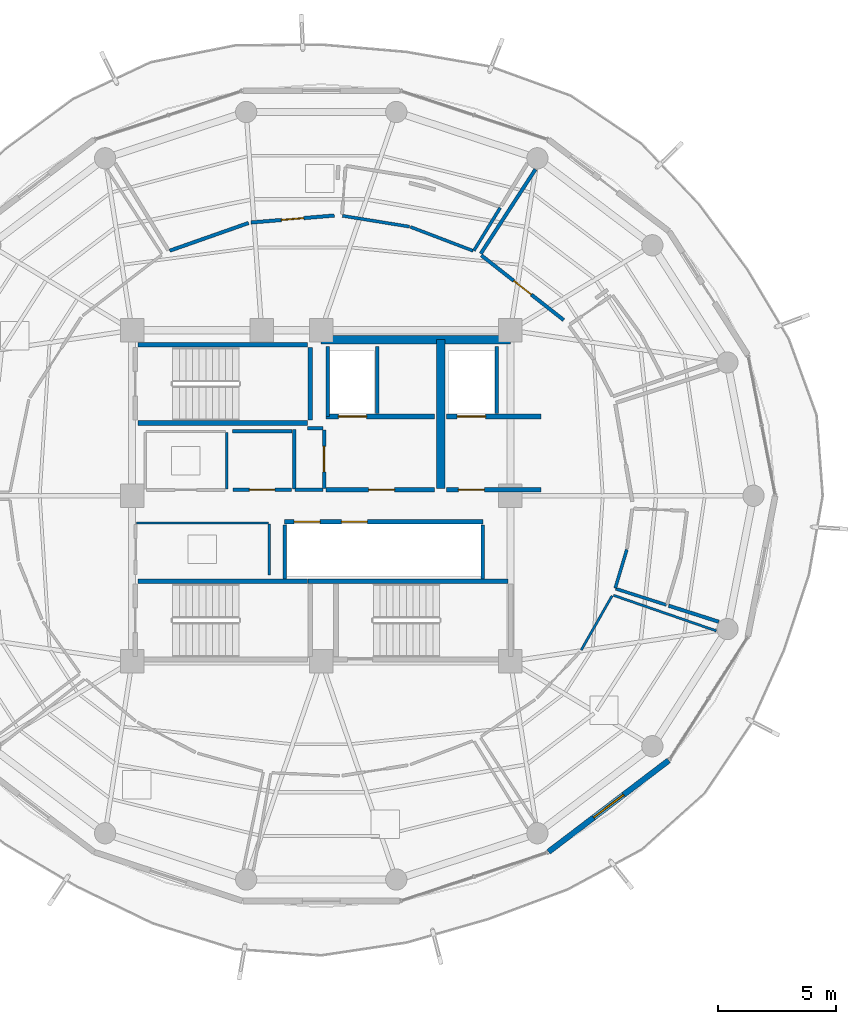
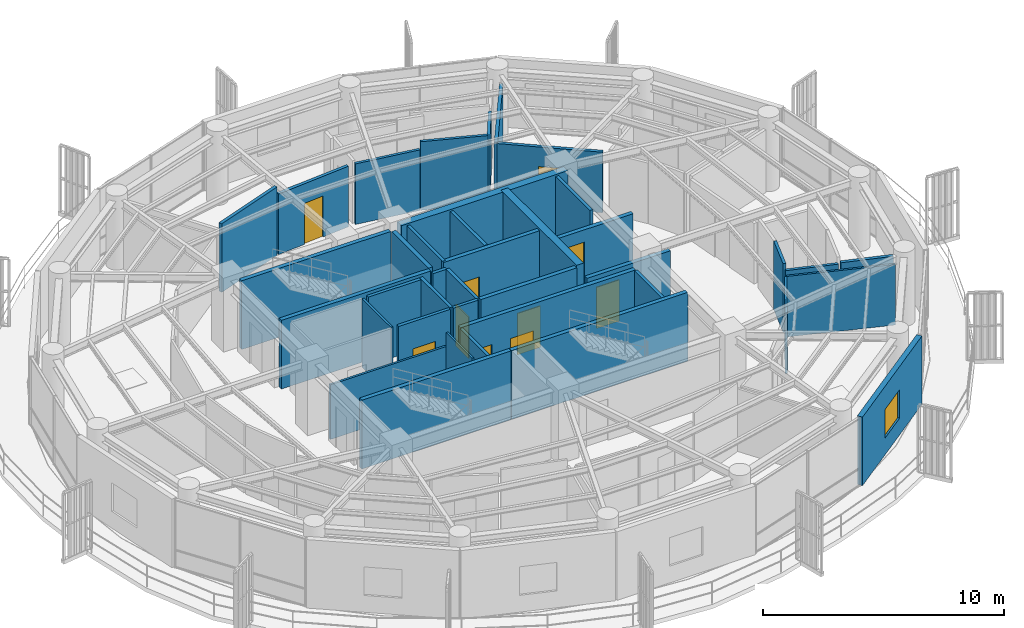
# One storey, part 16 of 22: 39 walls, 10 doors, 1 window, 11 openings.
"""IFC4 building model written with IfcOpenShell, lengths in metres."""

from ifc_helpers import new_model, si_unit, direction, frame, frame_2d, origin, place, context, subcontext, project, spatial, rectangle, extrude, material, layer, layer_set, type_object, element, fill, save


model = new_model("IFC4")

# Units and contexts
model_context = context("Model", 3, precision=1e-05, world=origin(), true_north=direction((0.0, 1.0)))
body_context = subcontext(model_context, "Body", "Model", "MODEL_VIEW")
ifc_project = project(units=[si_unit("LENGTHUNIT", "METRE"), si_unit("AREAUNIT", "SQUARE_METRE"), si_unit("VOLUMEUNIT", "CUBIC_METRE"), si_unit("PLANEANGLEUNIT", "RADIAN"), si_unit("MASSUNIT", "GRAM", prefix="KILO")], contexts=[model_context])

# Site, building, storey
site_placement = place(None, origin())
site = spatial("IfcSite", under=ifc_project, at=site_placement, CompositionType="ELEMENT")
building_placement = place(site_placement, origin())
building = spatial("IfcBuilding", under=site, at=building_placement, Name="Kelanora Arch Commons", CompositionType="ELEMENT")
storey_placement = place(building_placement, frame((0.0, 0.0, 263.699951171875)))
storey = spatial("IfcBuildingStorey", under=building, at=storey_placement, Name="L67", CompositionType="ELEMENT", Elevation=263.699951171875)

# Walls
ifc_material_1 = material(Name="Autoclaved aerated concrete blockwork with fire plaster", Category="masonry")
ifc_layer_1 = layer(ifc_material_1, 0.14990234375)
ifc_layer_set_1 = layer_set([ifc_layer_1], Name="Autoclaved aerated concrete blockwork with fire plaster")
wall_type_1 = type_object("IfcWallType", Name="W-COMP-150", PredefinedType="PARTITIONING", material=ifc_layer_set_1)
wall_1_placement = place(storey_placement, frame((74.280029296875, 61.35009765625, 0.0), z_axis=(0.0, 0.0, 1.0), x_axis=(0.0, 1.0, 0.0)))
element("IfcWall", 1, at=wall_1_placement, inside=storey, type_object=wall_type_1, Name="Firefighting Lift 1 West Shaft Wall L67", PredefinedType="PARTITIONING", context=body_context, shape_type="SweptSolid", body=[
    extrude(rectangle(XDim=2.969970703125, YDim=0.14990234375, at=frame_2d((1.48486328125, 0.0))), origin(), (0.0, 0.0, 1.0), 3.47998046875),
])
for number, where, z_axis, x_axis, name in (
    (2, (76.360107421875, 61.47998046875, 0.0), (0.0, 0.0, 1.0), (0.0, 1.0, 0.0), "Firefighting Lift 1 East Shaft Wall L67"),
    (3, (81.419921875, 61.47998046875, 0.0), (0.0, 0.0, 1.0), (0.0, 1.0, 0.0), "Firefighting Lift 2 East Shaft Wall L67"),
):
    element("IfcWall", number, at=place(storey_placement, frame(where, z_axis=z_axis, x_axis=x_axis)), inside=storey, type_object=wall_type_1, Name=name, PredefinedType="PARTITIONING", context=body_context, shape_type="SweptSolid", body=[
        extrude(rectangle(XDim=2.840087890625, YDim=0.14990234375, at=frame_2d((1.419921875, 0.0))), origin(), (0.0, 0.0, 1.0), 3.47998046875),
    ])
for number, where, z_axis, x_axis, name in (
    (4, (72.4599609375, 54.47998046875, 0.0), (0.0, 0.0, 1.0), (0.0, 1.0, 0.0), "South Lift Bank West Wall L67"),
    (5, (80.840087890625, 54.47998046875, 0.0), (0.0, 0.0, 1.0), (0.0, 1.0, 0.0), "South Lift Bank East Wall L67"),
):
    element("IfcWall", number, at=place(storey_placement, frame(where, z_axis=z_axis, x_axis=x_axis)), inside=storey, type_object=wall_type_1, Name=name, PredefinedType="PARTITIONING", context=body_context, shape_type="SweptSolid", body=[
        extrude(rectangle(XDim=2.2900390625, YDim=0.14990234375, at=frame_2d((1.14501953125, 0.0))), origin(), (0.0, 0.0, 1.0), 3.47998046875),
    ])

# Wall, opening, door
wall_2_placement = place(storey_placement, frame((74.1201171875, 58.31005859375, 0.0), z_axis=(0.0, 0.0, 1.0), x_axis=(0.0, 1.0, 0.0)))
wall_2 = element("IfcWall", 6, at=wall_2_placement, inside=storey, type_object=wall_type_1, Name="Core Linen Supply Store L67 Entry Partition", PredefinedType="PARTITIONING", context=body_context, shape_type="SweptSolid", body=[
    extrude(rectangle(XDim=2.47998046875, YDim=0.14990234375, at=frame_2d((1.239990234375, 0.0))), origin(), (0.0, 0.0, 1.0), 3.47998046875),
])
opening_1_placement = place(wall_2_placement, frame((0.699951171875, 0.0, 0.0)))
opening_1 = element("IfcOpeningElement", 7, at=opening_1_placement, cuts=wall_2, Name="Opening D-PLT1", PredefinedType="OPENING", context=body_context, shape_type="SweptSolid", body=[
    extrude(rectangle(XDim=1.080078125, YDim=2.10009765625, at=frame_2d((0.5400390625, 1.050048828125))), frame((0.0, 0.0849609375, 0.0), z_axis=(0.0, -1.0, 0.0), x_axis=(1.0, 0.0, 0.0)), (0.0, 0.0, 1.0), 0.169921875),
])
ifc_material_2 = material(Name="Galvanised steel plant and riser fire door", Category="steel")
door_type_1 = type_object("IfcDoorType", Name="D-PLT-110", OperationType="NOTDEFINED", PredefinedType="DOOR", material=ifc_material_2)
door_1_placement = place(opening_1_placement, origin())
door_1 = element("IfcDoor", 8, at=door_1_placement, inside=storey, type_object=door_type_1, Name="Core Linen Supply Store L67 Door", OperationType="SINGLE_SWING_LEFT", OverallHeight=2.10009765625, OverallWidth=1.080078125, PredefinedType="DOOR", context=body_context, shape_type="SweptSolid", body=[
    extrude(rectangle(XDim=1.080078125, YDim=2.10009765625, at=frame_2d((0.5400390625, 1.050048828125))), frame((0.0, 0.02490234375, 0.0), z_axis=(0.0, -1.0, 0.0), x_axis=(1.0, 0.0, 0.0)), (0.0, 0.0, 1.0), 0.050048828125),
])
fill(opening_1, door_1)

wall_3_placement = place(storey_placement, frame((70.260009765625, 58.25, 0.0), z_axis=(0.0, 0.0, 1.0), x_axis=(1.0, 0.0, 0.0)))
wall_3 = element("IfcWall", 9, at=wall_3_placement, inside=storey, type_object=wall_type_1, Name="Reclaimed Core Linen Store L67 Entry Partition", PredefinedType="PARTITIONING", context=body_context, shape_type="SweptSolid", body=[
    extrude(rectangle(XDim=2.47998046875, YDim=0.14990234375, at=frame_2d((1.239990234375, 0.0))), origin(), (0.0, 0.0, 1.0), 3.47998046875),
])
opening_2_placement = place(wall_3_placement, frame((0.699951171875, 0.0, 0.0)))
opening_2 = element("IfcOpeningElement", 10, at=opening_2_placement, cuts=wall_3, Name="Opening D-PLT1", PredefinedType="OPENING", context=body_context, shape_type="SweptSolid", body=[
    extrude(rectangle(XDim=1.080078125, YDim=2.10009765625, at=frame_2d((0.5400390625, 1.050048828125))), frame((0.0, 0.0849609375, 0.0), z_axis=(0.0, -1.0, 0.0), x_axis=(1.0, 0.0, 0.0)), (0.0, 0.0, 1.0), 0.169921875),
])
door_2_placement = place(opening_2_placement, origin())
door_2 = element("IfcDoor", 11, at=door_2_placement, inside=storey, type_object=door_type_1, Name="Reclaimed Core Linen Store L67 Door", OperationType="SINGLE_SWING_LEFT", OverallHeight=2.10009765625, OverallWidth=1.080078125, PredefinedType="DOOR", context=body_context, shape_type="SweptSolid", body=[
    extrude(rectangle(XDim=1.080078125, YDim=2.10009765625, at=frame_2d((0.5400390625, 1.050048828125))), frame((0.0, 0.02490234375, 0.0), z_axis=(0.0, -1.0, 0.0), x_axis=(1.0, 0.0, 0.0)), (0.0, 0.0, 1.0), 0.050048828125),
])
fill(opening_2, door_2)

wall_4_placement = place(storey_placement, frame((84.2548828125, 65.43212890625, 0.0), z_axis=(0.0, 0.0, 1.0), x_axis=(-0.786354671358, 0.617775307724, 0.0)))
wall_4 = element("IfcWall", 12, at=wall_4_placement, inside=storey, type_object=wall_type_1, Name="Co-Living Studio L67-01 Entry Partition", PredefinedType="PARTITIONING", context=body_context, shape_type="SweptSolid", body=[
    extrude(rectangle(XDim=4.43017578125, YDim=0.14990234375, at=frame_2d((2.215087890625, 0.0))), origin(), (0.0, 0.0, 1.0), 3.074951171875),
])
opening_3_placement = place(wall_4_placement, frame((1.739990234375, 0.0, 0.0)))
opening_3 = element("IfcOpeningElement", 13, at=opening_3_placement, cuts=wall_4, Name="Opening D-CLU1", PredefinedType="OPENING", context=body_context, shape_type="SweptSolid", body=[
    extrude(rectangle(XDim=0.949951171875, YDim=2.080078125, at=frame_2d((0.47509765625, 1.0400390625))), frame((0.0, 0.0849609375, 0.0), z_axis=(0.0, -1.0, 0.0), x_axis=(1.0, 0.0, 0.0)), (0.0, 0.0, 1.0), 0.169921875),
])
ifc_material_3 = material(Name="Solid-core acoustic timber cluster entry fire door", Category="wood")
door_type_2 = type_object("IfcDoorType", Name="D-CLU-95", OperationType="NOTDEFINED", PredefinedType="DOOR", material=ifc_material_3)
door_3_placement = place(opening_3_placement, origin())
door_3 = element("IfcDoor", 14, at=door_3_placement, inside=storey, type_object=door_type_2, Name="Co-Living Studio L67-01 Door", OperationType="SINGLE_SWING_RIGHT", OverallHeight=2.080078125, OverallWidth=0.949951171875, PredefinedType="DOOR", context=body_context, shape_type="SweptSolid", body=[
    extrude(rectangle(XDim=0.949951171875, YDim=2.080078125, at=frame_2d((0.47509765625, 1.0400390625))), frame((0.0, 0.02490234375, 0.0), z_axis=(0.0, -1.0, 0.0), x_axis=(1.0, 0.0, 0.0)), (0.0, 0.0, 1.0), 0.050048828125),
])
fill(opening_3, door_3)

wall_5_placement = place(storey_placement, frame((74.55322265625, 69.85205078125, 0.0), z_axis=(0.0, 0.0, 1.0), x_axis=(-0.996494196011, -0.083661922741, 0.0)))
wall_5 = element("IfcWall", 15, at=wall_5_placement, inside=storey, type_object=wall_type_1, Name="Co-Living Studio L67-02 Entry Partition", PredefinedType="PARTITIONING", context=body_context, shape_type="SweptSolid", body=[
    extrude(rectangle(XDim=3.539794921875, YDim=0.14990234375, at=frame_2d((1.77001953125, 0.0))), origin(), (0.0, 0.0, 1.0), 3.074951171875),
])
opening_4_placement = place(wall_5_placement, frame((1.294921875, 0.0, 0.0)))
opening_4 = element("IfcOpeningElement", 16, at=opening_4_placement, cuts=wall_5, Name="Opening D-CLU1", PredefinedType="OPENING", context=body_context, shape_type="SweptSolid", body=[
    extrude(rectangle(XDim=0.949951171875, YDim=2.080078125, at=frame_2d((0.47509765625, 1.0400390625))), frame((0.0, 0.0849609375, 0.0), z_axis=(0.0, -1.0, 0.0), x_axis=(1.0, 0.0, 0.0)), (0.0, 0.0, 1.0), 0.169921875),
])
door_4_placement = place(opening_4_placement, origin())
door_4 = element("IfcDoor", 17, at=door_4_placement, inside=storey, type_object=door_type_2, Name="Co-Living Studio L67-02 Door", OperationType="SINGLE_SWING_RIGHT", OverallHeight=2.080078125, OverallWidth=0.949951171875, PredefinedType="DOOR", context=body_context, shape_type="SweptSolid", body=[
    extrude(rectangle(XDim=0.949951171875, YDim=2.080078125, at=frame_2d((0.47509765625, 1.0400390625))), frame((0.0, 0.02490234375, 0.0), z_axis=(0.0, -1.0, 0.0), x_axis=(1.0, 0.0, 0.0)), (0.0, 0.0, 1.0), 0.050048828125),
])
fill(opening_4, door_4)

# Walls
wall_6_placement = place(storey_placement, frame((72.89990234375, 58.25, 0.0), z_axis=(0.0, 0.0, 1.0), x_axis=(1.0, 0.0, 0.0)))
element("IfcWall", 18, at=wall_6_placement, inside=storey, type_object=wall_type_1, Name="Core Linen Supply Store L67 Enclosure Partition 1", PredefinedType="PARTITIONING", context=body_context, shape_type="SweptSolid", body=[
    extrude(rectangle(XDim=1.18017578125, YDim=0.14990234375, at=frame_2d((0.590087890625, 0.0))), origin(), (0.0, 0.0, 1.0), 3.47998046875),
])
wall_7_placement = place(storey_placement, frame((74.080078125, 60.85009765625, 0.0), z_axis=(0.0, 0.0, 1.0), x_axis=(-1.0, 0.0, 0.0)))
element("IfcWall", 19, at=wall_7_placement, inside=storey, type_object=wall_type_1, Name="Core Linen Supply Store L67 Enclosure Partition 3", PredefinedType="PARTITIONING", context=body_context, shape_type="SweptSolid", body=[
    extrude(rectangle(XDim=0.66015625, YDim=0.14990234375, at=frame_2d((0.330078125, 0.0))), origin(), (0.0, 0.0, 1.0), 3.47998046875),
])
for number, where, z_axis, x_axis, name in (
    (20, (72.860107421875, 60.81005859375, 0.0), (0.0, 0.0, 1.0), (0.0, -1.0, 0.0), "Core Linen Supply Store L67 Enclosure Partition 4"),
    (21, (72.760009765625, 60.719970703125, 0.0), (0.0, 0.0, 1.0), (-1.0, 0.0, 0.0), "Reclaimed Core Linen Store L67 Enclosure Partition 3"),
):
    element("IfcWall", number, at=place(storey_placement, frame(where, z_axis=z_axis, x_axis=x_axis)), inside=storey, type_object=wall_type_1, Name=name, PredefinedType="PARTITIONING", context=body_context, shape_type="SweptSolid", body=[
        extrude(rectangle(XDim=2.52001953125, YDim=0.14990234375, at=frame_2d((1.260009765625, 0.0))), origin(), (0.0, 0.0, 1.0), 3.47998046875),
    ])
wall_8_placement = place(storey_placement, frame((80.745849609375, 68.239501953125, 0.0), z_axis=(0.0, 0.0, 1.0), x_axis=(0.544234825024, 0.838932926539, 0.0)))
element("IfcWall", 22, at=wall_8_placement, inside=storey, type_object=wall_type_1, Name="Co-Living Studio L67-01 Enclosure Partition 2", PredefinedType="PARTITIONING", context=body_context, shape_type="SweptSolid", body=[
    extrude(rectangle(XDim=4.2490234375, YDim=0.14990234375, at=frame_2d((2.12451171875, 0.0))), origin(), (0.0, 0.0, 1.0), 3.074951171875),
])
wall_9_placement = place(storey_placement, frame((70.92822265625, 69.53759765625, 0.0), z_axis=(0.0, 0.0, 1.0), x_axis=(-0.943334007166, -0.331844769319, 0.0)))
element("IfcWall", 23, at=wall_9_placement, inside=storey, type_object=wall_type_1, Name="Co-Living Studio L67-02 Enclosure Partition 2", PredefinedType="PARTITIONING", context=body_context, shape_type="SweptSolid", body=[
    extrude(rectangle(XDim=3.535888671875, YDim=0.14990234375, at=frame_2d((1.76806640625, 0.0))), origin(), (0.0, 0.0, 1.0), 3.47998046875),
])
wall_10_placement = place(storey_placement, frame((90.815673828125, 52.6708984375, 0.0), z_axis=(0.0, 0.0, 1.0), x_axis=(-0.952285550261, 0.305208503755, 0.0)))
element("IfcWall", 24, at=wall_10_placement, inside=storey, type_object=wall_type_1, Name="Co-Living Studio L67-08 Enclosure Partition 5", PredefinedType="PARTITIONING", context=body_context, shape_type="SweptSolid", body=[
    extrude(rectangle(XDim=2.23095703125, YDim=0.14990234375, at=frame_2d((1.115478515625, 0.0))), origin(), (0.0, 0.0, 1.0), 3.235107421875),
])
ifc_material_4 = material(Name="Concrete C50/60", Category="concrete")
ifc_layer_2 = layer(ifc_material_4, 0.35009765625)
ifc_layer_set_2 = layer_set([ifc_layer_2], Name="Concrete C50/60")
wall_type_2 = type_object("IfcWallType", Name="W-CORE-350", PredefinedType="SHEAR", material=ifc_layer_set_2)
wall_11_placement = place(storey_placement, frame((74.0, 64.60009765625, 0.0), z_axis=(0.0, 0.0, 1.0), x_axis=(1.0, 0.0, 0.0)))
element("IfcWall", 25, at=wall_11_placement, inside=storey, type_object=wall_type_2, Name="Core Shear Spine L67-CN-E", PredefinedType="SHEAR", context=body_context, shape_type="SweptSolid", body=[
    extrude(rectangle(XDim=8.0, YDim=0.35009765625, at=frame_2d((4.0, 0.0))), origin(), (0.0, 0.0, 1.0), 3.489990234375),
])
wall_12_placement = place(storey_placement, frame((79.050048828125, 58.300048828125, 0.0), z_axis=(0.0, 0.0, 1.0), x_axis=(0.0, 1.0, 0.0)))
element("IfcWall", 26, at=wall_12_placement, inside=storey, type_object=wall_type_2, Name="Core Shear Spine L67-CE-N", PredefinedType="SHEAR", context=body_context, shape_type="SweptSolid", body=[
    extrude(rectangle(XDim=6.300048828125, YDim=0.35009765625, at=frame_2d((3.14990234375, 0.0))), origin(), (0.0, 0.0, 1.0), 3.489990234375),
])

# Wall, opening, window
ifc_material_5 = material(Name="Precast concrete C40/50 upper-zone terracotta rainscreen", Category="masonry")
ifc_layer_3 = layer(ifc_material_5, 0.239990234375)
ifc_layer_set_3 = layer_set([ifc_layer_3], Name="Precast concrete C40/50 upper-zone terracotta rainscreen")
wall_type_3 = type_object("IfcWallType", Name="W-EXT-TC2", PredefinedType="SOLIDWALL", material=ifc_layer_set_3)
wall_13_placement = place(storey_placement, frame((83.61181640625, 42.940185546875, 0.0), z_axis=(0.0, 0.0, 1.0), x_axis=(0.796010444211, 0.605282886514, 0.0)))
wall_13 = element("IfcWall", 27, at=wall_13_placement, inside=storey, type_object=wall_type_3, Name="Terracotta Exterior Wall L67-B15", PredefinedType="SOLIDWALL", context=body_context, shape_type="SweptSolid", body=[
    extrude(rectangle(XDim=6.387451171875, YDim=0.239990234375, at=frame_2d((3.19384765625, 0.0))), origin(), (0.0, 0.0, 1.0), 3.47509765625),
])
opening_5_placement = place(wall_13_placement, frame((2.39404296875, 0.0, 0.85009765625)))
opening_5 = element("IfcOpeningElement", 28, at=opening_5_placement, cuts=wall_13, Name="Opening WN-01", PredefinedType="OPENING", context=body_context, shape_type="SweptSolid", body=[
    extrude(rectangle(XDim=1.60009765625, YDim=1.449951171875, at=frame_2d((0.800048828125, 0.72509765625))), frame((0.0, 0.1298828125, 0.0), z_axis=(0.0, -1.0, 0.0), x_axis=(1.0, 0.0, 0.0)), (0.0, 0.0, 1.0), 0.260009765625),
])
ifc_material_6 = material(Name="Terracotta-anodised aluminium frame with operable low-E glazing", Category="masonry")
window_type = type_object("IfcWindowType", Name="WIN-CL-18", PartitioningType="DOUBLE_PANEL_VERTICAL", PredefinedType="WINDOW", material=ifc_material_6)
window_placement = place(opening_5_placement, origin())
window = element("IfcWindow", 29, at=window_placement, inside=storey, type_object=window_type, Name="Co-Living Operable Window L67-B15", OverallHeight=1.449951171875, OverallWidth=1.60009765625, PartitioningType="SINGLE_PANEL", PredefinedType="WINDOW", context=body_context, shape_type="SweptSolid", body=[
    extrude(rectangle(XDim=1.60009765625, YDim=1.449951171875, at=frame_2d((0.800048828125, 0.72509765625))), frame((0.0, 0.030029296875, 0.0), z_axis=(0.0, -1.0, 0.0), x_axis=(1.0, 0.0, 0.0)), (0.0, 0.0, 1.0), 0.06005859375),
])
fill(opening_5, window)

# Wall, opening, door
ifc_material_7 = material(Name="Concrete C40/50", Category="concrete")
ifc_layer_4 = layer(ifc_material_7, 0.199951171875)
ifc_layer_set_4 = layer_set([ifc_layer_4], Name="Concrete C40/50")
wall_type_4 = type_object("IfcWallType", Name="W-FFL-200", PredefinedType="SOLIDWALL", material=ifc_layer_set_4)
wall_14_placement = place(storey_placement, frame((74.199951171875, 61.35009765625, 0.0), z_axis=(0.0, 0.0, 1.0), x_axis=(1.0, 0.0, 0.0)))
wall_14 = element("IfcWall", 30, at=wall_14_placement, inside=storey, type_object=wall_type_4, Name="Firefighting Lift 1 Shaft Front L67", PredefinedType="SOLIDWALL", context=body_context, shape_type="SweptSolid", body=[
    extrude(rectangle(XDim=4.60009765625, YDim=0.199951171875, at=frame_2d((2.300048828125, 0.0))), origin(), (0.0, 0.0, 1.0), 3.47998046875),
])
opening_6_placement = place(wall_14_placement, frame((0.52001953125, 0.0, 0.0)))
opening_6 = element("IfcOpeningElement", 31, at=opening_6_placement, cuts=wall_14, Name="Opening LD-FF", PredefinedType="OPENING", context=body_context, shape_type="SweptSolid", body=[
    extrude(rectangle(XDim=1.199951171875, YDim=2.14990234375, at=frame_2d((0.60009765625, 1.074951171875))), frame((0.0, 0.10986328125, 0.0), z_axis=(0.0, -1.0, 0.0), x_axis=(1.0, 0.0, 0.0)), (0.0, 0.0, 1.0), 0.219970703125),
])
ifc_material_8 = material(Name="Fire-rated firefighters lift sliding landing door")
door_type_3 = type_object("IfcDoorType", Name="D-LIFT-FF", OperationType="NOTDEFINED", PredefinedType="DOOR", material=ifc_material_8)
door_5_placement = place(opening_6_placement, origin())
door_5 = element("IfcDoor", 32, at=door_5_placement, inside=storey, type_object=door_type_3, Name="Firefighting Lift LF-FF1 Landing Door L67", OperationType="DOUBLE_DOOR_SLIDING", OverallHeight=2.14990234375, OverallWidth=1.199951171875, PredefinedType="DOOR", context=body_context, shape_type="SweptSolid", body=[
    extrude(rectangle(XDim=1.199951171875, YDim=2.14990234375, at=frame_2d((0.60009765625, 1.074951171875))), frame((0.0, 0.02490234375, 0.0), z_axis=(0.0, -1.0, 0.0), x_axis=(1.0, 0.0, 0.0)), (0.0, 0.0, 1.0), 0.050048828125),
])
fill(opening_6, door_5)

wall_15_placement = place(storey_placement, frame((79.300048828125, 61.35009765625, 0.0), z_axis=(0.0, 0.0, 1.0), x_axis=(1.0, 0.0, 0.0)))
wall_15 = element("IfcWall", 33, at=wall_15_placement, inside=storey, type_object=wall_type_4, Name="Firefighting Lift 2 Shaft Front L67", PredefinedType="SOLIDWALL", context=body_context, shape_type="SweptSolid", body=[
    extrude(rectangle(XDim=4.0, YDim=0.199951171875, at=frame_2d((2.0, 0.0))), origin(), (0.0, 0.0, 1.0), 2.775146484375),
])
opening_7_placement = place(wall_15_placement, frame((0.449951171875, 0.0, 0.0)))
opening_7 = element("IfcOpeningElement", 34, at=opening_7_placement, cuts=wall_15, Name="Opening LD-FF", PredefinedType="OPENING", context=body_context, shape_type="SweptSolid", body=[
    extrude(rectangle(XDim=1.199951171875, YDim=2.14990234375, at=frame_2d((0.60009765625, 1.074951171875))), frame((0.0, 0.10986328125, 0.0), z_axis=(0.0, -1.0, 0.0), x_axis=(1.0, 0.0, 0.0)), (0.0, 0.0, 1.0), 0.219970703125),
])
door_6_placement = place(opening_7_placement, origin())
door_6 = element("IfcDoor", 35, at=door_6_placement, inside=storey, type_object=door_type_3, Name="Firefighting Lift LF-FF2 Landing Door L67", OperationType="DOUBLE_DOOR_SLIDING", OverallHeight=2.14990234375, OverallWidth=1.199951171875, PredefinedType="DOOR", context=body_context, shape_type="SweptSolid", body=[
    extrude(rectangle(XDim=1.199951171875, YDim=2.14990234375, at=frame_2d((0.60009765625, 1.074951171875))), frame((0.0, 0.02490234375, 0.0), z_axis=(0.0, -1.0, 0.0), x_axis=(1.0, 0.0, 0.0)), (0.0, 0.0, 1.0), 0.050048828125),
])
fill(opening_7, door_6)

wall_16_placement = place(storey_placement, frame((74.199951171875, 58.25, 0.0), z_axis=(0.0, 0.0, 1.0), x_axis=(1.0, 0.0, 0.0)))
wall_16 = element("IfcWall", 36, at=wall_16_placement, inside=storey, type_object=wall_type_4, Name="Firefighting Lobby 1 Enclosure Wall L67", PredefinedType="SOLIDWALL", context=body_context, shape_type="SweptSolid", body=[
    extrude(rectangle(XDim=4.60009765625, YDim=0.199951171875, at=frame_2d((2.300048828125, 0.0))), origin(), (0.0, 0.0, 1.0), 3.47998046875),
])
opening_8_placement = place(wall_16_placement, frame((1.800048828125, 0.0, 0.0)))
opening_8 = element("IfcOpeningElement", 37, at=opening_8_placement, cuts=wall_16, Name="Opening D-FFL1", PredefinedType="OPENING", context=body_context, shape_type="SweptSolid", body=[
    extrude(rectangle(XDim=1.10009765625, YDim=2.10009765625, at=frame_2d((0.550048828125, 1.050048828125))), frame((0.0, 0.10986328125, 0.0), z_axis=(0.0, -1.0, 0.0), x_axis=(1.0, 0.0, 0.0)), (0.0, 0.0, 1.0), 0.219970703125),
])
ifc_material_9 = material(Name="Smoke-sealed firefighting lobby fire door")
door_type_4 = type_object("IfcDoorType", Name="D-FFL-110", OperationType="NOTDEFINED", PredefinedType="DOOR", material=ifc_material_9)
door_7_placement = place(opening_8_placement, frame((1.10009765625, 0.0, 0.0), z_axis=(0.0, 0.0, 1.0), x_axis=(-1.0, 0.0, 0.0)))
door_7 = element("IfcDoor", 38, at=door_7_placement, inside=storey, type_object=door_type_4, Name="Firefighting Lobby 1 Door L67", OperationType="SINGLE_SWING_LEFT", OverallHeight=2.10009765625, OverallWidth=1.10009765625, PredefinedType="DOOR", context=body_context, shape_type="SweptSolid", body=[
    extrude(rectangle(XDim=1.10009765625, YDim=2.10009765625, at=frame_2d((0.550048828125, 1.050048828125))), frame((0.0, 0.02490234375, 0.0), z_axis=(0.0, -1.0, 0.0), x_axis=(1.0, 0.0, 0.0)), (0.0, 0.0, 1.0), 0.050048828125),
])
fill(opening_8, door_7)

wall_17_placement = place(storey_placement, frame((79.300048828125, 58.25, 0.0), z_axis=(0.0, 0.0, 1.0), x_axis=(1.0, 0.0, 0.0)))
wall_17 = element("IfcWall", 39, at=wall_17_placement, inside=storey, type_object=wall_type_4, Name="Firefighting Lobby 2 Enclosure Wall L67", PredefinedType="SOLIDWALL", context=body_context, shape_type="SweptSolid", body=[
    extrude(rectangle(XDim=4.0, YDim=0.199951171875, at=frame_2d((2.0, 0.0))), origin(), (0.0, 0.0, 1.0), 2.775146484375),
])
opening_9_placement = place(wall_17_placement, frame((0.5, 0.0, 0.0)))
opening_9 = element("IfcOpeningElement", 40, at=opening_9_placement, cuts=wall_17, Name="Opening D-FFL1", PredefinedType="OPENING", context=body_context, shape_type="SweptSolid", body=[
    extrude(rectangle(XDim=1.10009765625, YDim=2.10009765625, at=frame_2d((0.550048828125, 1.050048828125))), frame((0.0, 0.10986328125, 0.0), z_axis=(0.0, -1.0, 0.0), x_axis=(1.0, 0.0, 0.0)), (0.0, 0.0, 1.0), 0.219970703125),
])
door_8_placement = place(opening_9_placement, frame((1.10009765625, 0.0, 0.0), z_axis=(0.0, 0.0, 1.0), x_axis=(-1.0, 0.0, 0.0)))
door_8 = element("IfcDoor", 41, at=door_8_placement, inside=storey, type_object=door_type_4, Name="Firefighting Lobby 2 Door L67", OperationType="SINGLE_SWING_RIGHT", OverallHeight=2.10009765625, OverallWidth=1.10009765625, PredefinedType="DOOR", context=body_context, shape_type="SweptSolid", body=[
    extrude(rectangle(XDim=1.10009765625, YDim=2.10009765625, at=frame_2d((0.550048828125, 1.050048828125))), frame((0.0, 0.02490234375, 0.0), z_axis=(0.0, -1.0, 0.0), x_axis=(1.0, 0.0, 0.0)), (0.0, 0.0, 1.0), 0.050048828125),
])
fill(opening_9, door_8)

# Wall, openings, doors
wall_18_placement = place(storey_placement, frame((72.449951171875, 56.89990234375, 0.0), z_axis=(0.0, 0.0, 1.0), x_axis=(1.0, 0.0, 0.0)))
wall_18 = element("IfcWall", 42, at=wall_18_placement, inside=storey, type_object=wall_type_4, Name="Mid/High/Express Lift Shaft Front L67", PredefinedType="SOLIDWALL", context=body_context, shape_type="SweptSolid", body=[
    extrude(rectangle(XDim=8.400146484375, YDim=0.199951171875, at=frame_2d((4.2001953125, 0.0))), origin(), (0.0, 0.0, 1.0), 3.47998046875),
])
opening_10_placement = place(wall_18_placement, frame((0.39990234375, 0.0, 0.0)))
opening_10 = element("IfcOpeningElement", 43, at=opening_10_placement, cuts=wall_18, Name="Opening LD-01", PredefinedType="OPENING", context=body_context, shape_type="SweptSolid", body=[
    extrude(rectangle(XDim=1.10009765625, YDim=2.10009765625, at=frame_2d((0.550048828125, 1.050048828125))), frame((0.0, 0.10986328125, 0.0), z_axis=(0.0, -1.0, 0.0), x_axis=(1.0, 0.0, 0.0)), (0.0, 0.0, 1.0), 0.219970703125),
])
opening_11_placement = place(wall_18_placement, frame((2.39990234375, 0.0, 0.0)))
opening_11 = element("IfcOpeningElement", 44, at=opening_11_placement, cuts=wall_18, Name="Opening LD-01", PredefinedType="OPENING", context=body_context, shape_type="SweptSolid", body=[
    extrude(rectangle(XDim=1.10009765625, YDim=2.10009765625, at=frame_2d((0.550048828125, 1.050048828125))), frame((0.0, 0.10986328125, 0.0), z_axis=(0.0, -1.0, 0.0), x_axis=(1.0, 0.0, 0.0)), (0.0, 0.0, 1.0), 0.219970703125),
])
ifc_material_10 = material(Name="Stainless steel passenger lift sliding landing door", Category="steel")
door_type_5 = type_object("IfcDoorType", Name="D-LIFT-110", OperationType="NOTDEFINED", PredefinedType="DOOR", material=ifc_material_10)
door_9_placement = place(opening_10_placement, origin())
door_9 = element("IfcDoor", 45, at=door_9_placement, inside=storey, type_object=door_type_5, Name="Passenger Lift LF-P7 Landing Door L67", OperationType="DOUBLE_DOOR_SLIDING", OverallHeight=2.10009765625, OverallWidth=1.10009765625, PredefinedType="DOOR", context=body_context, shape_type="SweptSolid", body=[
    extrude(rectangle(XDim=1.10009765625, YDim=2.10009765625, at=frame_2d((0.550048828125, 1.050048828125))), frame((0.0, 0.02490234375, 0.0), z_axis=(0.0, -1.0, 0.0), x_axis=(1.0, 0.0, 0.0)), (0.0, 0.0, 1.0), 0.050048828125),
])
fill(opening_10, door_9)
door_10_placement = place(opening_11_placement, origin())
door_10 = element("IfcDoor", 46, at=door_10_placement, inside=storey, type_object=door_type_5, Name="Passenger Lift LF-P8 Landing Door L67", OperationType="DOUBLE_DOOR_SLIDING", OverallHeight=2.10009765625, OverallWidth=1.10009765625, PredefinedType="DOOR", context=body_context, shape_type="SweptSolid", body=[
    extrude(rectangle(XDim=1.10009765625, YDim=2.10009765625, at=frame_2d((0.550048828125, 1.050048828125))), frame((0.0, 0.02490234375, 0.0), z_axis=(0.0, -1.0, 0.0), x_axis=(1.0, 0.0, 0.0)), (0.0, 0.0, 1.0), 0.050048828125),
])
fill(opening_11, door_10)

# Walls
ifc_material_11 = material(Name="Lightweight fire-rated acoustic stud partition")
ifc_layer_5 = layer(ifc_material_11, 0.10009765625)
ifc_layer_set_5 = layer_set([ifc_layer_5], Name="Lightweight fire-rated acoustic stud partition")
wall_type_5 = type_object("IfcWallType", Name="W-PART-100", PredefinedType="PARTITIONING", material=ifc_layer_set_5)
wall_19_placement = place(storey_placement, frame((70.0, 58.2900390625, 0.0), z_axis=(0.0, 0.0, 1.0), x_axis=(0.0, 1.0, 0.0)))
element("IfcWall", 47, at=wall_19_placement, inside=storey, type_object=wall_type_5, Name="Reclaimed Core Quiet Phone Booths L67 Enclosure Partition 2", PredefinedType="PARTITIONING", context=body_context, shape_type="SweptSolid", body=[
    extrude(rectangle(XDim=2.389892578125, YDim=0.10009765625, at=frame_2d((1.19482421875, 0.0))), origin(), (0.0, 0.0, 1.0), 3.47998046875),
])
wall_20_placement = place(storey_placement, frame((71.800048828125, 54.659912109375, 0.0), z_axis=(0.0, 0.0, 1.0), x_axis=(0.0, 1.0, 0.0)))
element("IfcWall", 48, at=wall_20_placement, inside=storey, type_object=wall_type_5, Name="Reclaimed Core High-Zone Pantry and Copy Room L67 Enclosure Partition 2", PredefinedType="PARTITIONING", context=body_context, shape_type="SweptSolid", body=[
    extrude(rectangle(XDim=2.150146484375, YDim=0.10009765625, at=frame_2d((1.0751953125, 0.0))), origin(), (0.0, 0.0, 1.0), 3.47998046875),
])
wall_21_placement = place(storey_placement, frame((71.760009765625, 56.85009765625, 0.0), z_axis=(0.0, 0.0, 1.0), x_axis=(-1.0, 0.0, 0.0)))
element("IfcWall", 49, at=wall_21_placement, inside=storey, type_object=wall_type_5, Name="Reclaimed Core High-Zone Pantry and Copy Room L67 Enclosure Partition 3", PredefinedType="PARTITIONING", context=body_context, shape_type="SweptSolid", body=[
    extrude(rectangle(XDim=5.570068359375, YDim=0.10009765625, at=frame_2d((2.78515625, 0.0))), origin(), (0.0, 0.0, 1.0), 2.775146484375),
])
wall_22_placement = place(storey_placement, frame((84.993896484375, 51.4716796875, 0.0), z_axis=(0.0, 0.0, 1.0), x_axis=(0.494277588427, 0.869304127207, 0.0)))
element("IfcWall", 50, at=wall_22_placement, inside=storey, type_object=wall_type_5, Name="Communal Dining and Social Hall L67-07 Enclosure Partition 3", PredefinedType="PARTITIONING", context=body_context, shape_type="SweptSolid", body=[
    extrude(rectangle(XDim=2.64306640625, YDim=0.10009765625, at=frame_2d((1.321533203125, 0.0))), origin(), (0.0, 0.0, 1.0), 3.074951171875),
])
wall_23_placement = place(storey_placement, frame((86.35791015625, 53.791015625, 0.0), z_axis=(0.0, 0.0, 1.0), x_axis=(0.945103281494, -0.326771766388, 0.0)))
element("IfcWall", 51, at=wall_23_placement, inside=storey, type_object=wall_type_5, Name="Communal Dining and Social Hall L67-07 Enclosure Partition 4", PredefinedType="PARTITIONING", context=body_context, shape_type="SweptSolid", body=[
    extrude(rectangle(XDim=4.603759765625, YDim=0.10009765625, at=frame_2d((2.3017578125, 0.0))), origin(), (0.0, 0.0, 1.0), 3.074951171875),
])
ifc_layer_6 = layer(ifc_material_7, 0.199951171875)
ifc_layer_set_6 = layer_set([ifc_layer_6], Name="Concrete C40/50")
wall_type_6 = type_object("IfcWallType", Name="W-STAIR-200", PredefinedType="SHEAR", material=ifc_layer_set_6)
wall_24_placement = place(storey_placement, frame((66.260009765625, 61.080078125, 0.0), z_axis=(0.0, 0.0, 1.0), x_axis=(1.0, 0.0, 0.0)))
element("IfcWall", 52, at=wall_24_placement, inside=storey, type_object=wall_type_6, Name="Stair ST-T1 Shaft Wall S L67", PredefinedType="SHEAR", context=body_context, shape_type="SweptSolid", body=[
    extrude(rectangle(XDim=7.159912109375, YDim=0.199951171875, at=frame_2d((3.580078125, 0.0))), origin(), (0.0, 0.0, 1.0), 3.489990234375),
])
wall_25_placement = place(storey_placement, frame((73.5400390625, 61.199951171875, 0.0), z_axis=(0.0, 0.0, 1.0), x_axis=(0.0, 1.0, 0.0)))
element("IfcWall", 53, at=wall_25_placement, inside=storey, type_object=wall_type_6, Name="Stair ST-T1 Shaft Wall E L67", PredefinedType="SHEAR", context=body_context, shape_type="SweptSolid", body=[
    extrude(rectangle(XDim=3.070068359375, YDim=0.199951171875, at=frame_2d((1.53515625, 0.0))), origin(), (0.0, 0.0, 1.0), 3.489990234375),
])
wall_26_placement = place(storey_placement, frame((73.419921875, 64.389892578125, 0.0), z_axis=(0.0, 0.0, 1.0), x_axis=(-1.0, 0.0, 0.0)))
element("IfcWall", 54, at=wall_26_placement, inside=storey, type_object=wall_type_6, Name="Stair ST-T1 Shaft Wall N L67", PredefinedType="SHEAR", context=body_context, shape_type="SweptSolid", body=[
    extrude(rectangle(XDim=7.159912109375, YDim=0.199951171875, at=frame_2d((3.580078125, 0.0))), origin(), (0.0, 0.0, 1.0), 3.489990234375),
])
wall_27_placement = place(storey_placement, frame((81.89990234375, 54.389892578125, 0.0), z_axis=(0.0, 0.0, 1.0), x_axis=(-1.0, 0.0, 0.0)))
element("IfcWall", 55, at=wall_27_placement, inside=storey, type_object=wall_type_6, Name="Stair ST-T2 Shaft Wall N L67", PredefinedType="SHEAR", context=body_context, shape_type="SweptSolid", body=[
    extrude(rectangle(XDim=8.4599609375, YDim=0.199951171875, at=frame_2d((4.22998046875, 0.0))), origin(), (0.0, 0.0, 1.0), 3.489990234375),
])
wall_28_placement = place(storey_placement, frame((73.419921875, 54.389892578125, 0.0), z_axis=(0.0, 0.0, 1.0), x_axis=(-1.0, 0.0, 0.0)))
element("IfcWall", 56, at=wall_28_placement, inside=storey, type_object=wall_type_6, Name="Stair ST-T3 Shaft Wall N L67", PredefinedType="SHEAR", context=body_context, shape_type="SweptSolid", body=[
    extrude(rectangle(XDim=7.159912109375, YDim=0.199951171875, at=frame_2d((3.580078125, 0.0))), origin(), (0.0, 0.0, 1.0), 3.489990234375),
])
ifc_material_12 = material(Name="Moisture-resistant fire-rated cement-board plumbing wall")
ifc_layer_7 = layer(ifc_material_12, 0.1298828125)
ifc_layer_set_7 = layer_set([ifc_layer_7], Name="Moisture-resistant fire-rated cement-board plumbing wall")
wall_type_7 = type_object("IfcWallType", Name="W-WET-120", PredefinedType="PLUMBINGWALL", material=ifc_layer_set_7)
wall_29_placement = place(storey_placement, frame((80.42626953125, 68.358154296875, 0.0), z_axis=(0.0, 0.0, 1.0), x_axis=(-0.934318832382, 0.35643838101, 0.0)))
element("IfcWall", 57, at=wall_29_placement, inside=storey, type_object=wall_type_7, Name="En-Suite Shower WC L67-02 Enclosure Partition 1", PredefinedType="PLUMBINGWALL", context=body_context, shape_type="SweptSolid", body=[
    extrude(rectangle(XDim=2.841064453125, YDim=0.1298828125, at=frame_2d((1.42041015625, 0.0))), origin(), (0.0, 0.0, 1.0), 3.47998046875),
])
wall_30_placement = place(storey_placement, frame((77.7333984375, 69.381103515625, 0.0), z_axis=(0.0, 0.0, 1.0), x_axis=(-0.987129766344, 0.159921306894, 0.0)))
element("IfcWall", 58, at=wall_30_placement, inside=storey, type_object=wall_type_7, Name="En-Suite Shower WC L67-02 Enclosure Partition 2", PredefinedType="PLUMBINGWALL", context=body_context, shape_type="SweptSolid", body=[
    extrude(rectangle(XDim=2.874755859375, YDim=0.1298828125, at=frame_2d((1.4375, 0.0))), origin(), (0.0, 0.0, 1.0), 3.074951171875),
])
wall_31_placement = place(storey_placement, frame((81.568603515625, 70.179931640625, 0.0), z_axis=(0.0, 0.0, 1.0), x_axis=(-0.523399053684, -0.852087689503, 0.0)))
element("IfcWall", 59, at=wall_31_placement, inside=storey, type_object=wall_type_7, Name="En-Suite Shower WC L67-02 Enclosure Partition 6", PredefinedType="PLUMBINGWALL", context=body_context, shape_type="SweptSolid", body=[
    extrude(rectangle(XDim=2.12646484375, YDim=0.1298828125, at=frame_2d((1.063232421875, 0.0))), origin(), (0.0, 0.0, 1.0), 3.175048828125),
])
wall_32_placement = place(storey_placement, frame((86.435791015625, 54.09619140625, 0.0), z_axis=(0.0, 0.0, 1.0), x_axis=(0.287308367232, 0.957838139833, 0.0)))
element("IfcWall", 60, at=wall_32_placement, inside=storey, type_object=wall_type_7, Name="En-Suite Shower WC L67-08 Enclosure Partition 1", PredefinedType="PLUMBINGWALL", context=body_context, shape_type="SweptSolid", body=[
    extrude(rectangle(XDim=1.700439453125, YDim=0.1298828125, at=frame_2d((0.85009765625, 0.0))), origin(), (0.0, 0.0, 1.0), 3.47998046875),
])
wall_33_placement = place(storey_placement, frame((88.596923828125, 53.383056640625, 0.0), z_axis=(0.0, 0.0, 1.0), x_axis=(-0.952372601519, 0.304936760454, 0.0)))
element("IfcWall", 61, at=wall_33_placement, inside=storey, type_object=wall_type_7, Name="En-Suite Shower WC L67-08 Enclosure Partition 6", PredefinedType="PLUMBINGWALL", context=body_context, shape_type="SweptSolid", body=[
    extrude(rectangle(XDim=2.25537109375, YDim=0.1298828125, at=frame_2d((1.127685546875, 0.0))), origin(), (0.0, 0.0, 1.0), 3.175048828125),
])

save(model, "model.ifc")
